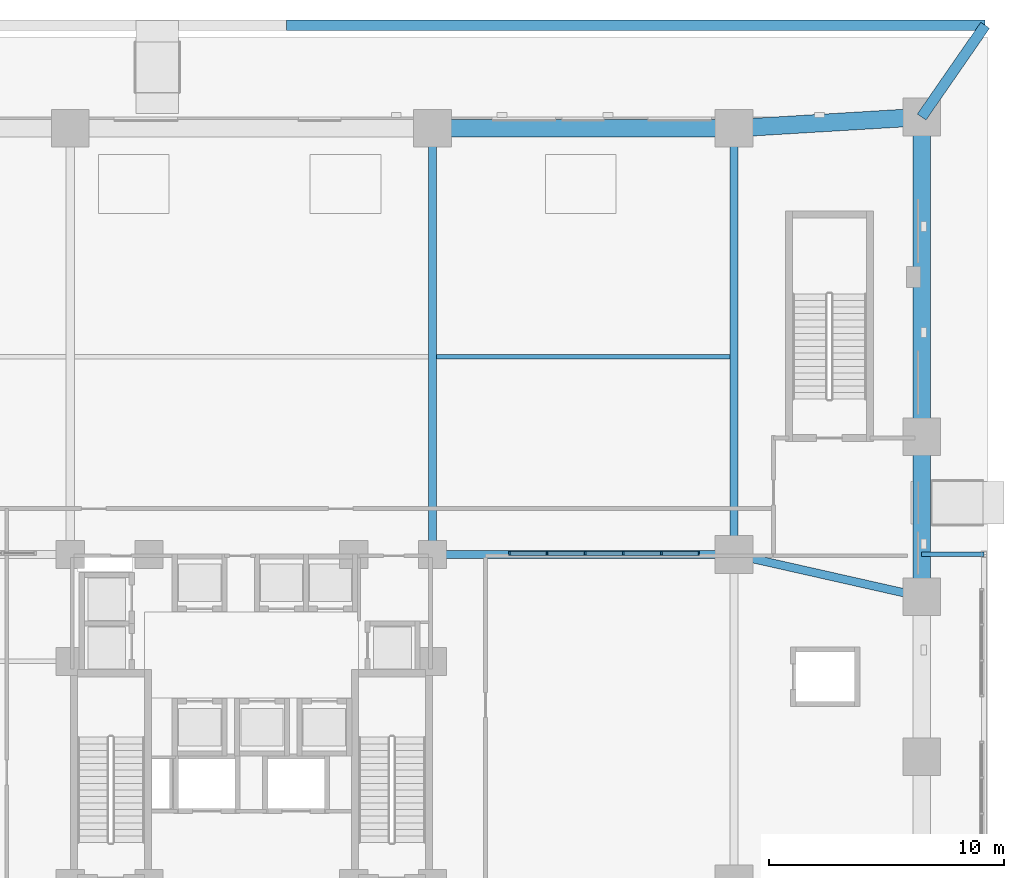
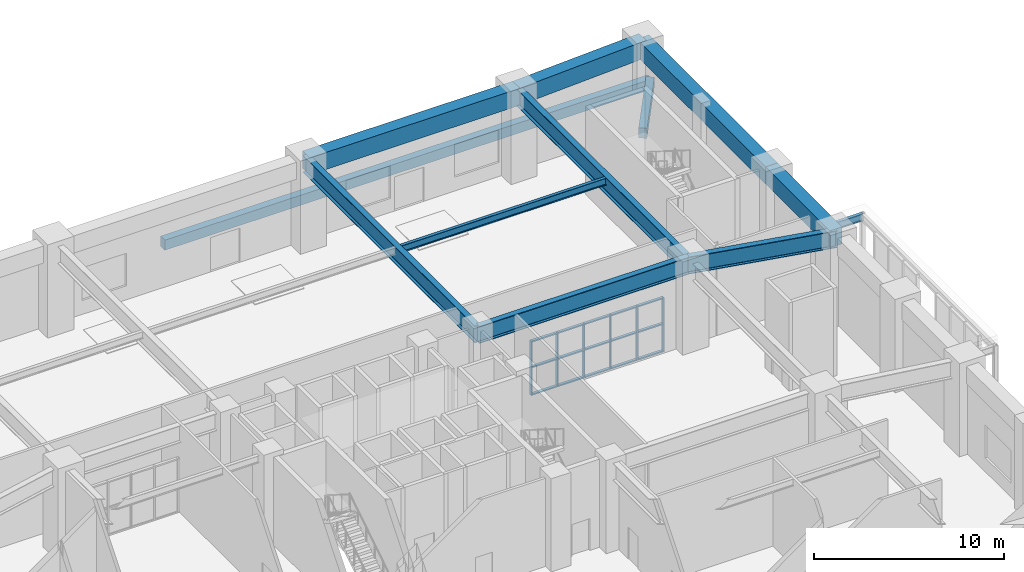
# One storey, part 11 of 24: 21 members, 12 beams, 1 element without a shape of its own.
"""IFC4 building model written with IfcOpenShell, lengths in metres."""

from ifc_helpers import new_model, si_unit, derived_unit, direction, frame, origin, origin_2d, place, context, subcontext, project, spatial, rectangle, i_section, extrude, material, material_profile, profile_set, type_object, element, aggregate, save


model = new_model("IFC4")

# Units and contexts
model_context = context("Model", 3, precision=1e-05, world=origin(), true_north=direction((0.0, 1.0)))
body_context = subcontext(model_context, "Body", "Model", "MODEL_VIEW")
ifc_project = project(units=[si_unit("LENGTHUNIT", "METRE"), si_unit("AREAUNIT", "SQUARE_METRE"), si_unit("VOLUMEUNIT", "CUBIC_METRE"), si_unit("PLANEANGLEUNIT", "RADIAN"), si_unit("MASSUNIT", "GRAM", prefix="KILO"), derived_unit("THERMALTRANSMITTANCEUNIT", [(si_unit("MASSUNIT", "GRAM", prefix="KILO"), 1), (si_unit("TIMEUNIT", "SECOND"), -3), (si_unit("THERMODYNAMICTEMPERATUREUNIT", "KELVIN"), -1)])], contexts=[model_context])

# Site, building, storey
site_placement = place(None, origin())
site = spatial("IfcSite", under=ifc_project, at=site_placement, CompositionType="ELEMENT")
building_placement = place(site_placement, origin())
building = spatial("IfcBuilding", under=site, at=building_placement, Name="Korrvale Station Residences", CompositionType="ELEMENT")
storey_placement = place(building_placement, origin())
storey = spatial("IfcBuildingStorey", under=building, at=storey_placement, Name="L00", CompositionType="ELEMENT", Elevation=0.0)

# Beams
ifc_material_1 = material(Name="Concrete C50/60", Category="concrete")
ifc_material_profile_1 = material_profile(ifc_material_1, rectangle(XDim=0.449951171875, YDim=0.64990234375, at=origin_2d()), Name="RCB450x650")
ifc_profile_set_1 = profile_set([ifc_material_profile_1], Name="Concrete C50/60")
beam_type_1 = type_object("IfcBeamType", Name="BM-BM-RCB450x650-C5060", PredefinedType="BEAM", material=ifc_profile_set_1)
beam_1_placement = place(storey_placement, frame((27.0, 51.5, -0.52490234375), z_axis=(1.0, 0.0, 0.0), x_axis=(0.0, 1.0, 0.0)))
element("IfcBeam", 1, at=beam_1_placement, inside=storey, type_object=beam_type_1, Name="L00 Station Forecourt Edge Beam 4", PredefinedType="BEAM", context=body_context, shape_type="SweptSolid", body=[
    extrude(rectangle(XDim=0.449951171875, YDim=0.64990234375, at=origin_2d()), origin(), (0.0, 0.0, 1.0), 29.699951171875),
])
beam_2_placement = place(storey_placement, frame((56.699951171875, 51.5, -0.52490234375), z_axis=(-0.569212655295, -0.8221903387, 0.0), x_axis=(0.8221903387, -0.569212655295, 0.0)))
element("IfcBeam", 2, at=beam_2_placement, inside=storey, type_object=beam_type_1, Name="L00 Station Forecourt Edge Beam 8", PredefinedType="BEAM", context=body_context, shape_type="SweptSolid", body=[
    extrude(rectangle(XDim=0.449951171875, YDim=0.64990234375, at=origin_2d()), origin(), (0.0, 0.0, 1.0), 4.743408203125),
])
ifc_material_2 = material(Name="Steel S355", Category="steel")
ifc_material_profile_2 = material_profile(ifc_material_2, i_section(OverallWidth=0.194091796875, OverallDepth=0.468994140625, WebThickness=0.0126953125, FlangeThickness=0.0205078125, FilletRadius=0.01611328125, at=origin_2d()), Name="W460x106")
ifc_profile_set_2 = profile_set([ifc_material_profile_2], Name="Steel S355")
beam_type_2 = type_object("IfcBeamType", Name="BM-BM-W460x106-S355", PredefinedType="BEAM", material=ifc_profile_set_2)
beam_3_placement = place(storey_placement, frame((54.0, 29.0, 4.4599609375), z_axis=(1.0, 0.0, 0.0), x_axis=(0.0, 1.0, 0.0)))
element("IfcBeam", 3, at=beam_3_placement, inside=storey, type_object=beam_type_2, Name="East Canopy Support Beam 2", PredefinedType="BEAM", context=body_context, shape_type="SweptSolid", body=[
    extrude(i_section(OverallWidth=0.194091796875, OverallDepth=0.468994140625, WebThickness=0.0126953125, FlangeThickness=0.0205078125, FilletRadius=0.01611328125, at=origin_2d()), origin(), (0.0, 0.0, 1.0), 2.64990234375),
])
ifc_material_profile_3 = material_profile(ifc_material_2, i_section(OverallWidth=0.35009765625, OverallDepth=1.10009765625, WebThickness=0.01611328125, FlangeThickness=0.034912109375, FilletRadius=0.01806640625, at=origin_2d()), Name="WWF1100x351")
ifc_profile_set_3 = profile_set([ifc_material_profile_3], Name="Steel S355")
beam_type_3 = type_object("IfcBeamType", Name="BM-BM-WWF1100x351-S355", PredefinedType="BEAM", material=ifc_profile_set_3)
for number, where, z_axis, x_axis, name in (
    (4, (46.02001953125, 29.0, 5.1298828125), (0.0, 1.0, 0.0), (-1.0, 0.0, 0.0), "L00 Station Primary Girder 06"),
    (5, (33.199951171875, 29.0, 5.1298828125), (0.0, 1.0, 0.0), (-1.0, 0.0, 0.0), "L00 Station Primary Girder 10"),
):
    element("IfcBeam", number, at=place(storey_placement, frame(where, z_axis=z_axis, x_axis=x_axis)), inside=storey, type_object=beam_type_3, Name=name, PredefinedType="BEAM", context=body_context, shape_type="SweptSolid", body=[
        extrude(i_section(OverallWidth=0.35009765625, OverallDepth=1.10009765625, WebThickness=0.01611328125, FlangeThickness=0.034912109375, FilletRadius=0.01806640625, at=origin_2d()), origin(), (0.0, 0.0, 1.0), 18.1201171875),
    ])
beam_4_placement = place(storey_placement, frame((46.02001953125, 29.0, 5.1298828125), z_axis=(0.975490412643, -0.220041938824, 0.0), x_axis=(0.220041938824, 0.975490412643, 0.0)))
element("IfcBeam", 6, at=beam_4_placement, inside=storey, type_object=beam_type_3, Name="L00 Station Primary Girder 14", PredefinedType="BEAM", context=body_context, shape_type="SweptSolid", body=[
    extrude(i_section(OverallWidth=0.35009765625, OverallDepth=1.10009765625, WebThickness=0.01611328125, FlangeThickness=0.034912109375, FilletRadius=0.01806640625, at=origin_2d()), origin(), (0.0, 0.0, 1.0), 8.180419921875),
])
beam_5_placement = place(storey_placement, frame((33.199951171875, 29.0, 5.1298828125), z_axis=(1.0, 0.0, 0.0), x_axis=(0.0, 1.0, 0.0)))
element("IfcBeam", 7, at=beam_5_placement, inside=storey, type_object=beam_type_3, Name="L00 Station Primary Girder 16", PredefinedType="BEAM", context=body_context, shape_type="SweptSolid", body=[
    extrude(i_section(OverallWidth=0.35009765625, OverallDepth=1.10009765625, WebThickness=0.01611328125, FlangeThickness=0.034912109375, FilletRadius=0.01806640625, at=origin_2d()), origin(), (0.0, 0.0, 1.0), 12.820068359375),
])
ifc_material_profile_4 = material_profile(ifc_material_2, i_section(OverallWidth=0.18994140625, OverallDepth=0.45703125, WebThickness=0.009033203125, FlangeThickness=0.014404296875, FilletRadius=0.01611328125, at=origin_2d()), Name="W460x74")
ifc_profile_set_4 = profile_set([ifc_material_profile_4], Name="Steel S355")
beam_type_4 = type_object("IfcBeamType", Name="BM-JST-W460x74-S355", PredefinedType="JOIST", material=ifc_profile_set_4)
beam_6_placement = place(storey_placement, frame((33.375, 37.39990234375, 5.451416015625), z_axis=(1.0, 0.0, 0.0), x_axis=(0.0, 1.0, 0.0)))
element("IfcBeam", 8, at=beam_6_placement, inside=storey, type_object=beam_type_4, Name="L00 Station Floor Joist 03", PredefinedType="JOIST", context=body_context, shape_type="SweptSolid", body=[
    extrude(i_section(OverallWidth=0.18994140625, OverallDepth=0.45703125, WebThickness=0.009033203125, FlangeThickness=0.014404296875, FilletRadius=0.01611328125, at=origin_2d()), origin(), (0.0, 0.0, 1.0), 12.469970703125),
])
ifc_material_3 = material(Name="Concrete C70/85", Category="concrete")
ifc_material_profile_5 = material_profile(ifc_material_3, rectangle(XDim=0.75, YDim=1.10009765625, at=origin_2d()), Name="RCB750x1100")
ifc_profile_set_5 = profile_set([ifc_material_profile_5], Name="Concrete C70/85")
beam_type_5 = type_object("IfcBeamType", Name="BM-SPB-RCB750x1100-C7085", PredefinedType="SPANDREL", material=ifc_profile_set_5)
beam_7_placement = place(storey_placement, frame((54.0, 27.199951171875, 5.1298828125), z_axis=(0.0, 1.0, 0.0), x_axis=(-1.0, 0.0, 0.0)))
element("IfcBeam", 9, at=beam_7_placement, inside=storey, type_object=beam_type_5, Name="L00 Station Spandrel Beam 09", PredefinedType="SPANDREL", context=body_context, shape_type="SweptSolid", body=[
    extrude(rectangle(XDim=0.75, YDim=1.10009765625, at=origin_2d()), origin(), (0.0, 0.0, 1.0), 6.800048828125),
])
beam_8_placement = place(storey_placement, frame((54.0, 34.0, 5.1298828125), z_axis=(0.0, 1.0, 0.0), x_axis=(-1.0, 0.0, 0.0)))
element("IfcBeam", 10, at=beam_8_placement, inside=storey, type_object=beam_type_5, Name="L00 Station Spandrel Beam 10", PredefinedType="SPANDREL", context=body_context, shape_type="SweptSolid", body=[
    extrude(rectangle(XDim=0.75, YDim=1.10009765625, at=origin_2d()), origin(), (0.0, 0.0, 1.0), 13.60009765625),
])
beam_9_placement = place(storey_placement, frame((33.199951171875, 47.1201171875, 5.1298828125), z_axis=(1.0, 0.0, 0.0), x_axis=(0.0, 1.0, 0.0)))
element("IfcBeam", 11, at=beam_9_placement, inside=storey, type_object=beam_type_5, Name="L00 Station Spandrel Beam 19", PredefinedType="SPANDREL", context=body_context, shape_type="SweptSolid", body=[
    extrude(rectangle(XDim=0.75, YDim=1.10009765625, at=origin_2d()), origin(), (0.0, 0.0, 1.0), 12.820068359375),
])
beam_10_placement = place(storey_placement, frame((46.02001953125, 47.1201171875, 5.1298828125), z_axis=(0.998195997903, 0.060039568374, 0.0), x_axis=(-0.060039568374, 0.998195997903, 0.0)))
element("IfcBeam", 12, at=beam_10_placement, inside=storey, type_object=beam_type_5, Name="L00 Station Spandrel Beam 20", PredefinedType="SPANDREL", context=body_context, shape_type="SweptSolid", body=[
    extrude(rectangle(XDim=0.75, YDim=1.10009765625, at=origin_2d()), origin(), (0.0, 0.0, 1.0), 7.994384765625),
])

# Curtain wall, members
ifc_material_4 = material(Name="Unitised thermally broken aluminium curtain wall with triple low-e IGU", Category="aluminium")
curtain_wall_type = type_object("IfcCurtainWallType", Name="CW-STN-CON", PredefinedType="NOTDEFINED", material=ifc_material_4)
curtain_wall_placement = place(storey_placement, origin())
curtain_wall = element("IfcCurtainWall", 13, at=curtain_wall_placement, inside=storey, type_object=curtain_wall_type, Name="L00 Curtain Wall CW2-RUN-2", PredefinedType="NOTDEFINED")
ifc_material_5 = material(Name="Extruded thermally broken aluminium mullion", Category="aluminium")
member_type_1 = type_object("IfcMemberType", Name="CW-STN-CON-M", PredefinedType="MULLION", material=ifc_material_5)
member_1_placement = place(storey_placement, frame((36.489990234375, 29.050048828125, 0.0), z_axis=(0.0, 0.0, 1.0), x_axis=(1.0, 0.0, 0.0)))
member_1 = element("IfcMember", 14, at=member_1_placement, type_object=member_type_1, Name="CW-STN-CON Mullion 1", PredefinedType="MULLION", context=body_context, shape_type="SweptSolid", body=[
    extrude(rectangle(XDim=0.080078125, YDim=0.169921875, at=origin_2d()), origin(), (0.0, 0.0, 1.0), 3.5),
])
member_2_placement = place(storey_placement, frame((38.070068359375, 29.050048828125, 0.0), z_axis=(0.0, 0.0, 1.0), x_axis=(1.0, 0.0, 0.0)))
member_2 = element("IfcMember", 15, at=member_2_placement, type_object=member_type_1, Name="CW-STN-CON Mullion 2", PredefinedType="MULLION", context=body_context, shape_type="SweptSolid", body=[
    extrude(rectangle(XDim=0.080078125, YDim=0.169921875, at=origin_2d()), origin(), (0.0, 0.0, 1.0), 3.5),
])
member_3_placement = place(storey_placement, frame((39.68994140625, 29.050048828125, 0.0), z_axis=(0.0, 0.0, 1.0), x_axis=(1.0, 0.0, 0.0)))
member_3 = element("IfcMember", 16, at=member_3_placement, type_object=member_type_1, Name="CW-STN-CON Mullion 3", PredefinedType="MULLION", context=body_context, shape_type="SweptSolid", body=[
    extrude(rectangle(XDim=0.080078125, YDim=0.169921875, at=origin_2d()), origin(), (0.0, 0.0, 1.0), 3.5),
])
member_4_placement = place(storey_placement, frame((41.31005859375, 29.050048828125, 0.0), z_axis=(0.0, 0.0, 1.0), x_axis=(1.0, 0.0, 0.0)))
member_4 = element("IfcMember", 17, at=member_4_placement, type_object=member_type_1, Name="CW-STN-CON Mullion 4", PredefinedType="MULLION", context=body_context, shape_type="SweptSolid", body=[
    extrude(rectangle(XDim=0.080078125, YDim=0.169921875, at=origin_2d()), origin(), (0.0, 0.0, 1.0), 3.5),
])
member_5_placement = place(storey_placement, frame((42.929931640625, 29.050048828125, 0.0), z_axis=(0.0, 0.0, 1.0), x_axis=(1.0, 0.0, 0.0)))
member_5 = element("IfcMember", 18, at=member_5_placement, type_object=member_type_1, Name="CW-STN-CON Mullion 5", PredefinedType="MULLION", context=body_context, shape_type="SweptSolid", body=[
    extrude(rectangle(XDim=0.080078125, YDim=0.169921875, at=origin_2d()), origin(), (0.0, 0.0, 1.0), 3.5),
])
member_6_placement = place(storey_placement, frame((44.510009765625, 29.050048828125, 0.0), z_axis=(0.0, 0.0, 1.0), x_axis=(1.0, 0.0, 0.0)))
member_6 = element("IfcMember", 19, at=member_6_placement, type_object=member_type_1, Name="CW-STN-CON Mullion 6", PredefinedType="MULLION", context=body_context, shape_type="SweptSolid", body=[
    extrude(rectangle(XDim=0.080078125, YDim=0.169921875, at=origin_2d()), origin(), (0.0, 0.0, 1.0), 3.5),
])
ifc_material_6 = material(Name="Extruded thermally broken aluminium transom", Category="aluminium")
member_type_2 = type_object("IfcMemberType", Name="CW-STN-CON-T", PredefinedType="USERDEFINED", material=ifc_material_6)
member_7_placement = place(storey_placement, frame((37.260009765625, 29.050048828125, 0.0), z_axis=(0.0, 0.0, 1.0), x_axis=(1.0, 0.0, 0.0)))
member_7 = element("IfcMember", 20, at=member_7_placement, type_object=member_type_2, Name="CW-STN-CON Transom 1-1", ObjectType="TRANSOM", PredefinedType="USERDEFINED", context=body_context, shape_type="SweptSolid", body=[
    extrude(rectangle(XDim=1.5400390625, YDim=0.169921875, at=origin_2d()), origin(), (0.0, 0.0, 1.0), 0.080078125),
])
member_8_placement = place(storey_placement, frame((37.260009765625, 29.050048828125, 1.760009765625), z_axis=(0.0, 0.0, 1.0), x_axis=(1.0, 0.0, 0.0)))
member_8 = element("IfcMember", 21, at=member_8_placement, type_object=member_type_2, Name="CW-STN-CON Transom 1-2", ObjectType="TRANSOM", PredefinedType="USERDEFINED", context=body_context, shape_type="SweptSolid", body=[
    extrude(rectangle(XDim=1.5400390625, YDim=0.169921875, at=origin_2d()), origin(), (0.0, 0.0, 1.0), 0.080078125),
])
member_9_placement = place(storey_placement, frame((37.260009765625, 29.050048828125, 3.419921875), z_axis=(0.0, 0.0, 1.0), x_axis=(1.0, 0.0, 0.0)))
member_9 = element("IfcMember", 22, at=member_9_placement, type_object=member_type_2, Name="CW-STN-CON Transom 1-3", ObjectType="TRANSOM", PredefinedType="USERDEFINED", context=body_context, shape_type="SweptSolid", body=[
    extrude(rectangle(XDim=1.5400390625, YDim=0.169921875, at=origin_2d()), origin(), (0.0, 0.0, 1.0), 0.080078125),
])
member_10_placement = place(storey_placement, frame((38.8798828125, 29.050048828125, 0.0), z_axis=(0.0, 0.0, 1.0), x_axis=(1.0, 0.0, 0.0)))
member_10 = element("IfcMember", 23, at=member_10_placement, type_object=member_type_2, Name="CW-STN-CON Transom 2-1", ObjectType="TRANSOM", PredefinedType="USERDEFINED", context=body_context, shape_type="SweptSolid", body=[
    extrude(rectangle(XDim=1.5400390625, YDim=0.169921875, at=origin_2d()), origin(), (0.0, 0.0, 1.0), 0.080078125),
])
member_11_placement = place(storey_placement, frame((38.8798828125, 29.050048828125, 1.760009765625), z_axis=(0.0, 0.0, 1.0), x_axis=(1.0, 0.0, 0.0)))
member_11 = element("IfcMember", 24, at=member_11_placement, type_object=member_type_2, Name="CW-STN-CON Transom 2-2", ObjectType="TRANSOM", PredefinedType="USERDEFINED", context=body_context, shape_type="SweptSolid", body=[
    extrude(rectangle(XDim=1.5400390625, YDim=0.169921875, at=origin_2d()), origin(), (0.0, 0.0, 1.0), 0.080078125),
])
member_12_placement = place(storey_placement, frame((38.8798828125, 29.050048828125, 3.419921875), z_axis=(0.0, 0.0, 1.0), x_axis=(1.0, 0.0, 0.0)))
member_12 = element("IfcMember", 25, at=member_12_placement, type_object=member_type_2, Name="CW-STN-CON Transom 2-3", ObjectType="TRANSOM", PredefinedType="USERDEFINED", context=body_context, shape_type="SweptSolid", body=[
    extrude(rectangle(XDim=1.5400390625, YDim=0.169921875, at=origin_2d()), origin(), (0.0, 0.0, 1.0), 0.080078125),
])
member_13_placement = place(storey_placement, frame((40.5, 29.050048828125, 0.0), z_axis=(0.0, 0.0, 1.0), x_axis=(1.0, 0.0, 0.0)))
member_13 = element("IfcMember", 26, at=member_13_placement, type_object=member_type_2, Name="CW-STN-CON Transom 3-1", ObjectType="TRANSOM", PredefinedType="USERDEFINED", context=body_context, shape_type="SweptSolid", body=[
    extrude(rectangle(XDim=1.5400390625, YDim=0.169921875, at=origin_2d()), origin(), (0.0, 0.0, 1.0), 0.080078125),
])
member_14_placement = place(storey_placement, frame((40.5, 29.050048828125, 1.760009765625), z_axis=(0.0, 0.0, 1.0), x_axis=(1.0, 0.0, 0.0)))
member_14 = element("IfcMember", 27, at=member_14_placement, type_object=member_type_2, Name="CW-STN-CON Transom 3-2", ObjectType="TRANSOM", PredefinedType="USERDEFINED", context=body_context, shape_type="SweptSolid", body=[
    extrude(rectangle(XDim=1.5400390625, YDim=0.169921875, at=origin_2d()), origin(), (0.0, 0.0, 1.0), 0.080078125),
])
member_15_placement = place(storey_placement, frame((40.5, 29.050048828125, 3.419921875), z_axis=(0.0, 0.0, 1.0), x_axis=(1.0, 0.0, 0.0)))
member_15 = element("IfcMember", 28, at=member_15_placement, type_object=member_type_2, Name="CW-STN-CON Transom 3-3", ObjectType="TRANSOM", PredefinedType="USERDEFINED", context=body_context, shape_type="SweptSolid", body=[
    extrude(rectangle(XDim=1.5400390625, YDim=0.169921875, at=origin_2d()), origin(), (0.0, 0.0, 1.0), 0.080078125),
])
member_16_placement = place(storey_placement, frame((42.1201171875, 29.050048828125, 0.0), z_axis=(0.0, 0.0, 1.0), x_axis=(1.0, 0.0, 0.0)))
member_16 = element("IfcMember", 29, at=member_16_placement, type_object=member_type_2, Name="CW-STN-CON Transom 4-1", ObjectType="TRANSOM", PredefinedType="USERDEFINED", context=body_context, shape_type="SweptSolid", body=[
    extrude(rectangle(XDim=1.5400390625, YDim=0.169921875, at=origin_2d()), origin(), (0.0, 0.0, 1.0), 0.080078125),
])
member_17_placement = place(storey_placement, frame((42.1201171875, 29.050048828125, 1.760009765625), z_axis=(0.0, 0.0, 1.0), x_axis=(1.0, 0.0, 0.0)))
member_17 = element("IfcMember", 30, at=member_17_placement, type_object=member_type_2, Name="CW-STN-CON Transom 4-2", ObjectType="TRANSOM", PredefinedType="USERDEFINED", context=body_context, shape_type="SweptSolid", body=[
    extrude(rectangle(XDim=1.5400390625, YDim=0.169921875, at=origin_2d()), origin(), (0.0, 0.0, 1.0), 0.080078125),
])
member_18_placement = place(storey_placement, frame((42.1201171875, 29.050048828125, 3.419921875), z_axis=(0.0, 0.0, 1.0), x_axis=(1.0, 0.0, 0.0)))
member_18 = element("IfcMember", 31, at=member_18_placement, type_object=member_type_2, Name="CW-STN-CON Transom 4-3", ObjectType="TRANSOM", PredefinedType="USERDEFINED", context=body_context, shape_type="SweptSolid", body=[
    extrude(rectangle(XDim=1.5400390625, YDim=0.169921875, at=origin_2d()), origin(), (0.0, 0.0, 1.0), 0.080078125),
])
member_19_placement = place(storey_placement, frame((43.739990234375, 29.050048828125, 0.0), z_axis=(0.0, 0.0, 1.0), x_axis=(1.0, 0.0, 0.0)))
member_19 = element("IfcMember", 32, at=member_19_placement, type_object=member_type_2, Name="CW-STN-CON Transom 5-1", ObjectType="TRANSOM", PredefinedType="USERDEFINED", context=body_context, shape_type="SweptSolid", body=[
    extrude(rectangle(XDim=1.5400390625, YDim=0.169921875, at=origin_2d()), origin(), (0.0, 0.0, 1.0), 0.080078125),
])
member_20_placement = place(storey_placement, frame((43.739990234375, 29.050048828125, 1.760009765625), z_axis=(0.0, 0.0, 1.0), x_axis=(1.0, 0.0, 0.0)))
member_20 = element("IfcMember", 33, at=member_20_placement, type_object=member_type_2, Name="CW-STN-CON Transom 5-2", ObjectType="TRANSOM", PredefinedType="USERDEFINED", context=body_context, shape_type="SweptSolid", body=[
    extrude(rectangle(XDim=1.5400390625, YDim=0.169921875, at=origin_2d()), origin(), (0.0, 0.0, 1.0), 0.080078125),
])
member_21_placement = place(storey_placement, frame((43.739990234375, 29.050048828125, 3.419921875), z_axis=(0.0, 0.0, 1.0), x_axis=(1.0, 0.0, 0.0)))
member_21 = element("IfcMember", 34, at=member_21_placement, type_object=member_type_2, Name="CW-STN-CON Transom 5-3", ObjectType="TRANSOM", PredefinedType="USERDEFINED", context=body_context, shape_type="SweptSolid", body=[
    extrude(rectangle(XDim=1.5400390625, YDim=0.169921875, at=origin_2d()), origin(), (0.0, 0.0, 1.0), 0.080078125),
])
aggregate(curtain_wall, [member_1, member_2, member_3, member_4, member_5, member_6, member_7, member_8, member_9, member_10, member_11, member_12, member_13, member_14, member_15, member_16, member_17, member_18, member_19, member_20, member_21])

save(model, "model.ifc")
